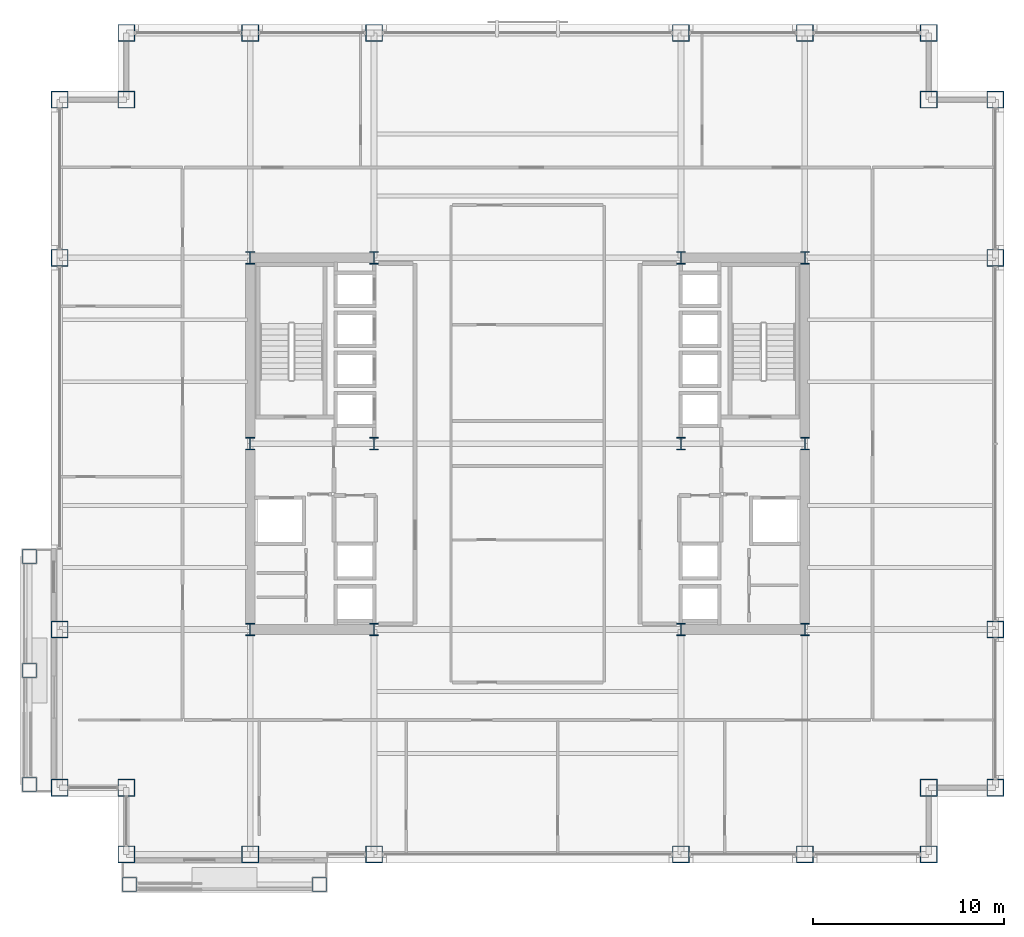
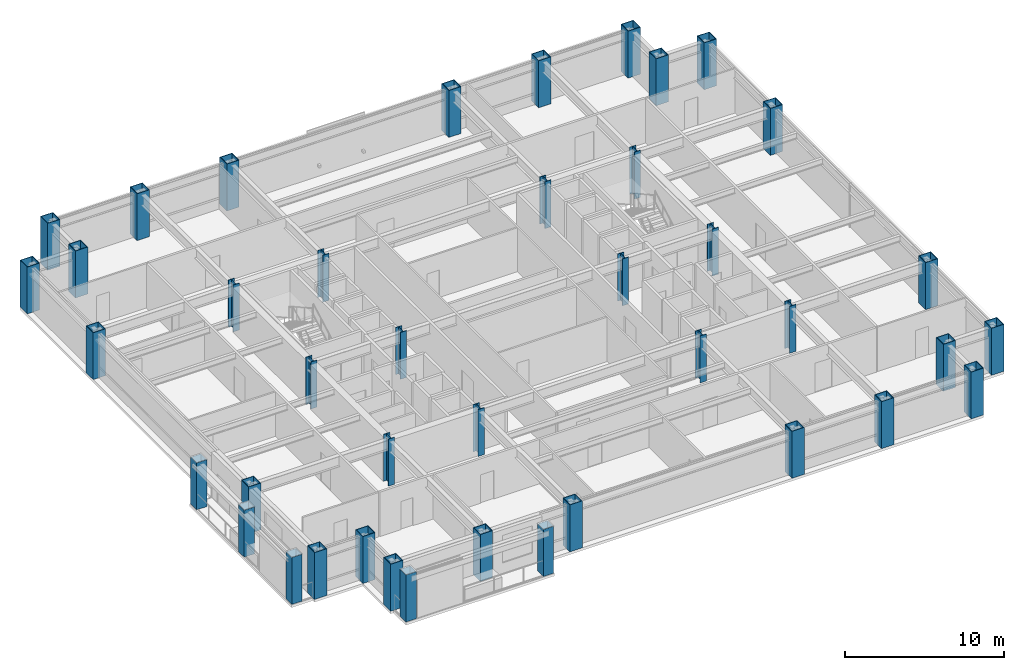
# One storey, part 1 of 30: 41 columns.
"""IFC4 building model written with IfcOpenShell, lengths in metres."""

import ifcopenshell
import ifcopenshell.guid

model = None  # the IFC model being written
_history = None  # IfcOwnerHistory: only IFC2X3 demands one
_inside = {}  # id of a spatial element -> (the spatial element, [elements in it])
_under = {}  # id of a project, library or spatial element -> (it, [spatial elements below it])
_declared = {}  # id of a project -> (the project, [libraries it declares])
_typed = {}  # id of a type object -> (the type object, [elements of that type])
_made_of = {}  # id of a material, layer set ... -> (it, [elements and type objects made of it])


def new_model(schema):
    """Start an empty IFC model of exactly this schema.

    Asked for "IFC4X3", IfcOpenShell would pick the latest addendum, in which some entities
    have other attributes; the version numbers below select the first issue.
    IFC2X3 requires an IfcOwnerHistory on every rooted entity: one is made here for all.
    """
    global model, _history
    if schema == "IFC4X3":
        model = ifcopenshell.file(schema_version=(4, 3, 0, 0))
    else:
        model = ifcopenshell.file(schema=schema)
    _inside.clear()
    _under.clear()
    _declared.clear()
    _typed.clear()
    _made_of.clear()
    _history = None
    if model.schema == "IFC2X3":
        org = make("IfcOrganization", Name="unknown")
        user = make(
            "IfcPersonAndOrganization",
            ThePerson=make("IfcPerson", FamilyName="unknown"),
            TheOrganization=org,
        )
        app = make(
            "IfcApplication",
            ApplicationDeveloper=org,
            Version="unknown",
            ApplicationFullName="unknown",
            ApplicationIdentifier="unknown",
        )
        _history = make(
            "IfcOwnerHistory",
            OwningUser=user,
            OwningApplication=app,
            ChangeAction="ADDED",
            CreationDate=0,
        )
    return model


def make(cls, **values):
    """One entity of the class cls with the attributes given. An attribute that is None is left unset."""
    return model.create_entity(
        cls, **{name: value for name, value in values.items() if value is not None}
    )


def rooted(cls, **values):
    """An entity with a GlobalId (a new one), such as an element, a storey or a relation."""
    return make(cls, GlobalId=ifcopenshell.guid.new(), OwnerHistory=_history, **values)


def si_unit(unit_type, name, prefix=None):
    """IfcSIUnit, for example si_unit("LENGTHUNIT", "METRE", prefix="MILLI")."""
    return make("IfcSIUnit", UnitType=unit_type, Prefix=prefix, Name=name)


def assignment(units):
    """IfcUnitAssignment: the units of a project."""
    return None if units is None else make("IfcUnitAssignment", Units=units)


def point(xyz):
    """IfcCartesianPoint."""
    return None if xyz is None else make("IfcCartesianPoint", Coordinates=xyz)


def direction(xyz):
    """IfcDirection."""
    return None if xyz is None else make("IfcDirection", DirectionRatios=xyz)


def frame(location, z_axis=None, x_axis=None):
    """IfcAxis2Placement3D, a coordinate frame: its origin and axes. An axis left out is left unset."""
    return make(
        "IfcAxis2Placement3D",
        Location=point(location),
        Axis=direction(z_axis),
        RefDirection=direction(x_axis),
    )


def frame_2d(location, x_axis=None):
    """IfcAxis2Placement2D, a coordinate frame in the plane: its origin and x axis."""
    return make(
        "IfcAxis2Placement2D", Location=point(location), RefDirection=direction(x_axis)
    )


def origin():
    """The frame at (0, 0, 0) with its axes left unset."""
    return frame((0.0, 0.0, 0.0))


def origin_2d():
    """The frame at (0, 0) in the plane with its x axis left unset."""
    return frame_2d((0.0, 0.0))


def place(relative_to, where):
    """IfcLocalPlacement: puts the frame where relative to a parent placement (None: the world)."""
    return make(
        "IfcLocalPlacement", PlacementRelTo=relative_to, RelativePlacement=where
    )


def context(
    kind, dimensions, precision=None, world=None, true_north=None, identifier=None
):
    """IfcGeometricRepresentationContext, for example the 3D "Model" context."""
    return make(
        "IfcGeometricRepresentationContext",
        ContextIdentifier=identifier,
        ContextType=kind,
        CoordinateSpaceDimension=dimensions,
        Precision=precision,
        WorldCoordinateSystem=world,
        TrueNorth=true_north,
    )


def subcontext(parent, identifier, kind, view, scale=None):
    """IfcGeometricRepresentationSubContext, for example "Body" below "Model"."""
    return make(
        "IfcGeometricRepresentationSubContext",
        ContextIdentifier=identifier,
        ContextType=kind,
        ParentContext=parent,
        TargetScale=scale,
        TargetView=view,
    )


def project(units=None, contexts=None):
    """IfcProject with its units and contexts."""
    return rooted(
        "IfcProject",
        Name="project",
        RepresentationContexts=contexts,
        UnitsInContext=assignment(units),
    )


def spatial(cls, under=None, at=None, **own):
    """A site, building, storey or space (cls), placed at a placement, below another one or the project."""
    s = rooted(cls, ObjectPlacement=at, **own)
    if under is not None:
        _under.setdefault(under.id(), (under, []))[1].append(s)
    return s


def profile(cls, at=None, kind="AREA", **sizes):
    """A parametric profile (cls). Its sizes go by their IFC names, for example OverallWidth=200.0."""
    return make(cls, ProfileType=kind, Position=at, **sizes)


def hollow_rectangle(**sizes):
    """IfcRectangleHollowProfileDef."""
    return profile("IfcRectangleHollowProfileDef", **sizes)


def i_section(**sizes):
    """IfcIShapeProfileDef."""
    return profile("IfcIShapeProfileDef", **sizes)


def extrude(swept, where, along, depth):
    """IfcExtrudedAreaSolid: the profile swept, set in the frame where, extruded along a direction by depth."""
    return make(
        "IfcExtrudedAreaSolid",
        SweptArea=swept,
        Position=where,
        ExtrudedDirection=direction(along),
        Depth=depth,
    )


def shape(context_of_items, identifier, shape_type, items):
    """IfcShapeRepresentation: the items that make up one representation, for example the "Body"."""
    return make(
        "IfcShapeRepresentation",
        ContextOfItems=context_of_items,
        RepresentationIdentifier=identifier,
        RepresentationType=shape_type,
        Items=items,
    )


def material(Name=None, Category=None):
    """IfcMaterial."""
    return make("IfcMaterial", Name=Name, Category=Category)


def material_profile(
    of_material, cross_section, Name=None, Category=None, Priority=None
):
    """IfcMaterialProfile: a cross section and its material."""
    return make(
        "IfcMaterialProfile",
        Name=Name,
        Material=of_material,
        Profile=cross_section,
        Priority=Priority,
        Category=Category,
    )


def profile_set(profiles, Name=None, composite=None):
    """IfcMaterialProfileSet."""
    return make(
        "IfcMaterialProfileSet",
        Name=Name,
        MaterialProfiles=profiles,
        CompositeProfile=composite,
    )


def made_of(thing, what):
    """Note that an element or type object is made of a material, layer set ...; save() writes the relation."""
    if what is not None:
        _made_of.setdefault(what.id(), (what, []))[1].append(thing)
    return thing


def type_object(cls, material=None, **own):
    """A type object (cls), such as IfcWallType, which elements share."""
    return made_of(rooted(cls, **own), material)


def element(
    cls,
    number,
    at=None,
    inside=None,
    cuts=None,
    type_object=None,
    material=None,
    context=None,
    identifier="Body",
    shape_type=None,
    held_by="IfcProductDefinitionShape",
    body=None,
    shapes=None,
    **own,
):
    """One element of the class cls, such as IfcWall. Its Tag is "e" and its number.

    at: its placement. inside: the storey or other place that contains it. cuts: it is an
    opening in that element (IfcRelVoidsElement). A single representation is given by context,
    identifier, shape_type and body (its items); several are given by shapes. held_by: the class
    of the entity that holds the representations. save() writes the other relations.
    """
    e = rooted(cls, Tag="e%d" % number, ObjectPlacement=at, **own)
    if body is not None:
        shapes = [shape(context, identifier, shape_type, body)]
    if shapes is not None:
        e.Representation = make(held_by, Representations=shapes)
    if inside is not None:
        _inside.setdefault(inside.id(), (inside, []))[1].append(e)
    if cuts is not None:
        rooted(
            "IfcRelVoidsElement", RelatingBuildingElement=cuts, RelatedOpeningElement=e
        )
    if type_object is not None:
        _typed.setdefault(type_object.id(), (type_object, []))[1].append(e)
    return made_of(e, material)


def aggregate(whole, parts):
    """IfcRelAggregates: a whole, such as a stair, and the parts it consists of."""
    return rooted("IfcRelAggregates", RelatingObject=whole, RelatedObjects=parts)


def save(model, path):
    """Write the relations noted so far, then the file.

    IfcRelAggregates (storeys below a building ...), IfcRelContainedInSpatialStructure (elements
    in a storey), IfcRelDefinesByType, IfcRelAssociatesMaterial and IfcRelDeclares: one each for
    every whole, place, type object, material and project.
    """
    for whole, parts in _under.values():
        aggregate(whole, parts)
    for where, things in _inside.values():
        rooted(
            "IfcRelContainedInSpatialStructure",
            RelatedElements=things,
            RelatingStructure=where,
        )
    for kind, things in _typed.values():
        rooted("IfcRelDefinesByType", RelatedObjects=things, RelatingType=kind)
    for what, things in _made_of.values():
        rooted("IfcRelAssociatesMaterial", RelatedObjects=things, RelatingMaterial=what)
    for by, libraries in _declared.values():
        rooted("IfcRelDeclares", RelatingContext=by, RelatedDefinitions=libraries)
    model.write(path)


model = new_model("IFC4")

# Units and contexts
model_context = context("Model", 3, precision=1e-05, world=origin(), true_north=direction((0.0, 1.0)))
body_context = subcontext(model_context, "Body", "Model", "MODEL_VIEW")
ifc_project = project(units=[si_unit("LENGTHUNIT", "METRE"), si_unit("AREAUNIT", "SQUARE_METRE"), si_unit("VOLUMEUNIT", "CUBIC_METRE"), si_unit("PLANEANGLEUNIT", "RADIAN"), si_unit("MASSUNIT", "GRAM", prefix="KILO")], contexts=[model_context])

# Site, building, storey
site_placement = place(None, origin())
site = spatial("IfcSite", under=ifc_project, at=site_placement, CompositionType="ELEMENT")
building_placement = place(site_placement, origin())
building = spatial("IfcBuilding", under=site, at=building_placement, Name="Brelmoor Portico Tower", CompositionType="ELEMENT")
storey_placement = place(building_placement, frame((0.0, 0.0, 74.39990234375)))
storey = spatial("IfcBuildingStorey", under=building, at=storey_placement, Name="L19", CompositionType="ELEMENT", Elevation=74.39990234375)

# Columns
ifc_material = material(Name="Steel Q355B", Category="steel")
ifc_material_profile_1 = material_profile(ifc_material, hollow_rectangle(XDim=0.75, YDim=0.75, WallThickness=0.031982421875, at=origin_2d()), Name="BOX 750x750x32")
ifc_profile_set_1 = profile_set([ifc_material_profile_1], Name="Steel Q355B")
column_type_1 = type_object("IfcColumnType", Name="COL-MEGA-750", PredefinedType="COLUMN", material=ifc_profile_set_1)
for number, where, z_axis, x_axis, name in (
    (1, (-26.1298828125, -17.8798828125, 0.0), (0.0, 0.0, 1.0), (0.0, 1.0, 0.0), "L19 Proud Picture-Frame Pier PFJ-W1"),
    (2, (-26.1298828125, -5.919921875, 0.0), (0.0, 0.0, 1.0), (0.0, 1.0, 0.0), "L19 Proud Picture-Frame Pier PFJ-W2"),
    (3, (-26.1298828125, -11.89990234375, 0.0), (0.0, 0.0, 1.0), (0.0, 1.0, 0.0), "L19 Proud Picture-Frame Pier PFJ-W3"),
    (4, (-20.8798828125, -23.1298828125, 0.0), (0.0, 0.0, 1.0), (1.0, 0.0, 0.0), "L19 Proud Picture-Frame Pier PFJ-S1"),
    (5, (-10.919921875, -23.1298828125, 0.0), (0.0, 0.0, 1.0), (1.0, 0.0, 0.0), "L19 Proud Picture-Frame Pier PFJ-S2"),
):
    element("IfcColumn", number, at=place(storey_placement, frame(where, z_axis=z_axis, x_axis=x_axis)), inside=storey, type_object=column_type_1, Name=name, PredefinedType="COLUMN", context=body_context, shape_type="SweptSolid", body=[
        extrude(hollow_rectangle(XDim=0.75, YDim=0.75, WallThickness=0.031982421875, at=origin_2d()), origin(), (0.0, 0.0, 1.0), 3.60009765625),
    ])
ifc_material_profile_2 = material_profile(ifc_material, hollow_rectangle(XDim=0.89990234375, YDim=0.89990234375, WallThickness=0.044921875, at=origin_2d()), Name="BOX 900x900x45")
ifc_profile_set_2 = profile_set([ifc_material_profile_2], Name="Steel Q355B")
column_type_2 = type_object("IfcColumnType", Name="COL-MEGA-900", PredefinedType="COLUMN", material=ifc_profile_set_2)
for number, where, z_axis, x_axis, name in (
    (6, (-21.050048828125, -21.550048828125, 0.0), (0.0, 0.0, 1.0), (1.0, 0.0, 0.0), "L19 Perimeter Mega-Column PS01"),
    (7, (-14.550048828125, -21.550048828125, 0.0), (0.0, 0.0, 1.0), (1.0, 0.0, 0.0), "L19 Perimeter Mega-Column PS02"),
    (8, (-8.050048828125, -21.550048828125, 0.0), (0.0, 0.0, 1.0), (1.0, 0.0, 0.0), "L19 Perimeter Mega-Column PS03"),
    (9, (8.050048828125, -21.550048828125, 0.0), (0.0, 0.0, 1.0), (1.0, 0.0, 0.0), "L19 Perimeter Mega-Column PS04"),
    (10, (14.550048828125, -21.550048828125, 0.0), (0.0, 0.0, 1.0), (1.0, 0.0, 0.0), "L19 Perimeter Mega-Column PS05"),
    (11, (21.050048828125, -21.550048828125, 0.0), (0.0, 0.0, 1.0), (1.0, 0.0, 0.0), "L19 Perimeter Mega-Column PS06"),
    (12, (-21.050048828125, 21.550048828125, 0.0), (0.0, 0.0, 1.0), (1.0, 0.0, 0.0), "L19 Perimeter Mega-Column PN01"),
    (13, (-14.550048828125, 21.550048828125, 0.0), (0.0, 0.0, 1.0), (1.0, 0.0, 0.0), "L19 Perimeter Mega-Column PN02"),
    (14, (-8.050048828125, 21.550048828125, 0.0), (0.0, 0.0, 1.0), (1.0, 0.0, 0.0), "L19 Perimeter Mega-Column PN03"),
    (15, (8.050048828125, 21.550048828125, 0.0), (0.0, 0.0, 1.0), (1.0, 0.0, 0.0), "L19 Perimeter Mega-Column PN04"),
    (16, (14.550048828125, 21.550048828125, 0.0), (0.0, 0.0, 1.0), (1.0, 0.0, 0.0), "L19 Perimeter Mega-Column PN05"),
    (17, (21.050048828125, 21.550048828125, 0.0), (0.0, 0.0, 1.0), (1.0, 0.0, 0.0), "L19 Perimeter Mega-Column PN06"),
    (18, (-24.550048828125, -18.050048828125, 0.0), (0.0, 0.0, 1.0), (0.0, 1.0, 0.0), "L19 Perimeter Mega-Column PW01"),
    (19, (-24.550048828125, -9.75, 0.0), (0.0, 0.0, 1.0), (0.0, 1.0, 0.0), "L19 Perimeter Mega-Column PW02"),
    (20, (-24.550048828125, 9.75, 0.0), (0.0, 0.0, 1.0), (0.0, 1.0, 0.0), "L19 Perimeter Mega-Column PW03"),
    (21, (-24.550048828125, 18.050048828125, 0.0), (0.0, 0.0, 1.0), (0.0, 1.0, 0.0), "L19 Perimeter Mega-Column PW04"),
    (22, (24.550048828125, -18.050048828125, 0.0), (0.0, 0.0, 1.0), (0.0, 1.0, 0.0), "L19 Perimeter Mega-Column PE01"),
    (23, (24.550048828125, -9.75, 0.0), (0.0, 0.0, 1.0), (0.0, 1.0, 0.0), "L19 Perimeter Mega-Column PE02"),
    (24, (24.550048828125, 9.75, 0.0), (0.0, 0.0, 1.0), (0.0, 1.0, 0.0), "L19 Perimeter Mega-Column PE03"),
    (25, (24.550048828125, 18.050048828125, 0.0), (0.0, 0.0, 1.0), (0.0, 1.0, 0.0), "L19 Perimeter Mega-Column PE04"),
    (26, (-21.050048828125, 18.050048828125, 0.0), (0.0, 0.0, 1.0), (1.0, 0.0, 0.0), "L19 Perimeter Mega-Column PC-NW"),
    (27, (21.050048828125, 18.050048828125, 0.0), (0.0, 0.0, 1.0), (1.0, 0.0, 0.0), "L19 Perimeter Mega-Column PC-NE"),
    (28, (21.050048828125, -18.050048828125, 0.0), (0.0, 0.0, 1.0), (1.0, 0.0, 0.0), "L19 Perimeter Mega-Column PC-SE"),
    (29, (-21.050048828125, -18.050048828125, 0.0), (0.0, 0.0, 1.0), (1.0, 0.0, 0.0), "L19 Perimeter Mega-Column PC-SW"),
):
    element("IfcColumn", number, at=place(storey_placement, frame(where, z_axis=z_axis, x_axis=x_axis)), inside=storey, type_object=column_type_2, Name=name, PredefinedType="COLUMN", context=body_context, shape_type="SweptSolid", body=[
        extrude(hollow_rectangle(XDim=0.89990234375, YDim=0.89990234375, WallThickness=0.044921875, at=origin_2d()), origin(), (0.0, 0.0, 1.0), 3.60009765625),
    ])
ifc_material_profile_3 = material_profile(ifc_material, i_section(OverallWidth=0.449951171875, OverallDepth=0.64990234375, WebThickness=0.02490234375, FlangeThickness=0.0400390625, at=origin_2d()), Name="HW 650x450x25x40")
ifc_profile_set_3 = profile_set([ifc_material_profile_3], Name="Steel Q355B")
column_type_3 = type_object("IfcColumnType", Name="COL-SPINE-650", PredefinedType="COLUMN", material=ifc_profile_set_3)
for number, where, z_axis, x_axis, name in (
    (30, (-14.550048828125, -9.75, 0.0), (0.0, 0.0, 1.0), (1.0, 0.0, 0.0), "L19 Core Spine Column CW-SW"),
    (31, (-14.550048828125, 0.0, 0.0), (0.0, 0.0, 1.0), (1.0, 0.0, 0.0), "L19 Core Spine Column CW-MW"),
    (32, (-14.550048828125, 9.75, 0.0), (0.0, 0.0, 1.0), (1.0, 0.0, 0.0), "L19 Core Spine Column CW-NW"),
    (33, (-8.050048828125, -9.75, 0.0), (0.0, 0.0, 1.0), (1.0, 0.0, 0.0), "L19 Core Spine Column CW-SE"),
    (34, (-8.050048828125, 0.0, 0.0), (0.0, 0.0, 1.0), (1.0, 0.0, 0.0), "L19 Core Spine Column CW-ME"),
    (35, (-8.050048828125, 9.75, 0.0), (0.0, 0.0, 1.0), (1.0, 0.0, 0.0), "L19 Core Spine Column CW-NE"),
    (36, (8.050048828125, -9.75, 0.0), (0.0, 0.0, 1.0), (1.0, 0.0, 0.0), "L19 Core Spine Column CE-SW"),
    (37, (8.050048828125, 0.0, 0.0), (0.0, 0.0, 1.0), (1.0, 0.0, 0.0), "L19 Core Spine Column CE-MW"),
    (38, (8.050048828125, 9.75, 0.0), (0.0, 0.0, 1.0), (1.0, 0.0, 0.0), "L19 Core Spine Column CE-NW"),
    (39, (14.550048828125, -9.75, 0.0), (0.0, 0.0, 1.0), (1.0, 0.0, 0.0), "L19 Core Spine Column CE-SE"),
    (40, (14.550048828125, 0.0, 0.0), (0.0, 0.0, 1.0), (1.0, 0.0, 0.0), "L19 Core Spine Column CE-ME"),
    (41, (14.550048828125, 9.75, 0.0), (0.0, 0.0, 1.0), (1.0, 0.0, 0.0), "L19 Core Spine Column CE-NE"),
):
    element("IfcColumn", number, at=place(storey_placement, frame(where, z_axis=z_axis, x_axis=x_axis)), inside=storey, type_object=column_type_3, Name=name, PredefinedType="COLUMN", context=body_context, shape_type="SweptSolid", body=[
        extrude(i_section(OverallWidth=0.449951171875, OverallDepth=0.64990234375, WebThickness=0.02490234375, FlangeThickness=0.0400390625, at=origin_2d()), origin(), (0.0, 0.0, 1.0), 3.60009765625),
    ])

save(model, "model.ifc")
